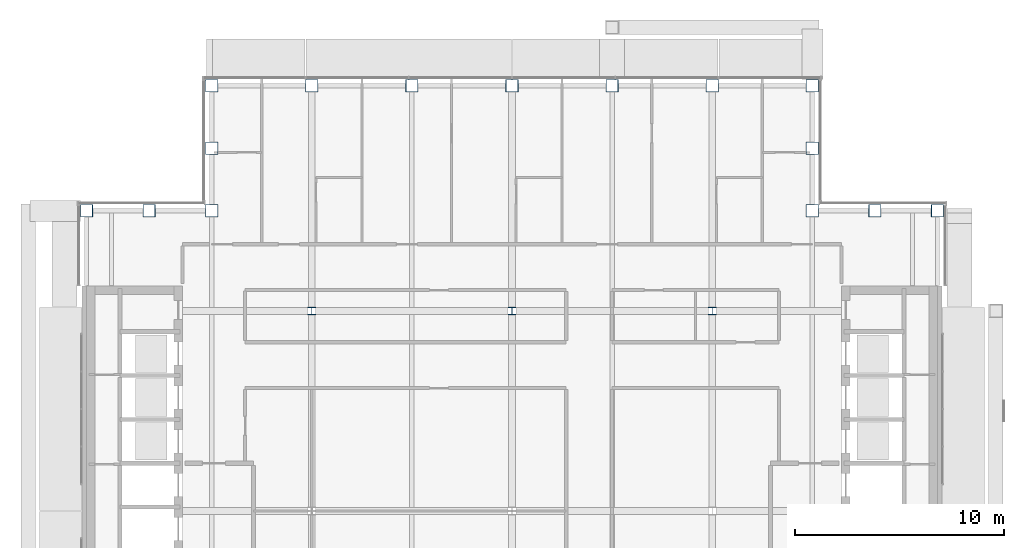
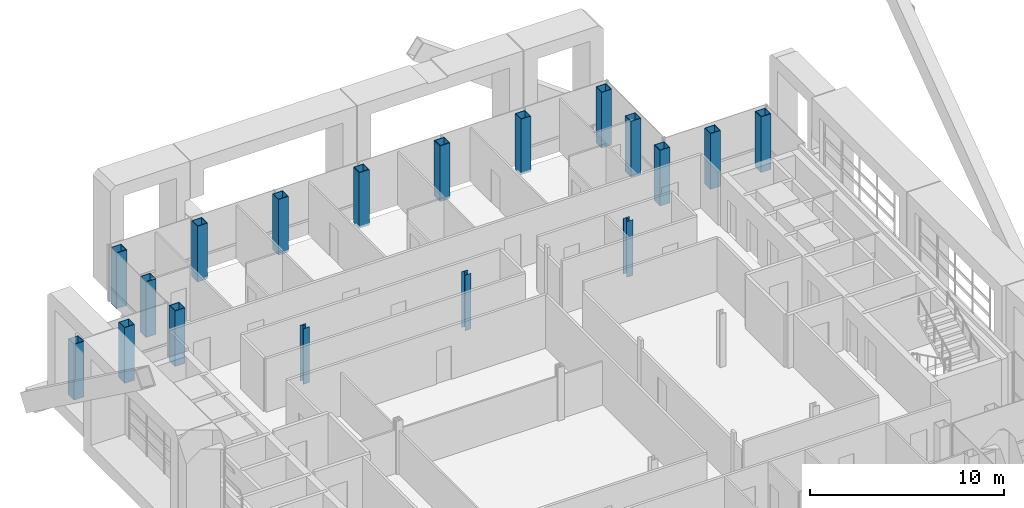
# One storey, part 3 of 23: 18 columns.
"""IFC4 building model written with IfcOpenShell, lengths in metres."""

from ifc_helpers import new_model, si_unit, direction, frame, origin, origin_2d, place, context, subcontext, project, spatial, hollow_rectangle, i_section, extrude, material, material_profile, profile_set, type_object, element, save


model = new_model("IFC4")

# Units and contexts
model_context = context("Model", 3, precision=1e-05, world=origin(), true_north=direction((0.0, 1.0)))
body_context = subcontext(model_context, "Body", "Model", "MODEL_VIEW")
ifc_project = project(units=[si_unit("LENGTHUNIT", "METRE"), si_unit("AREAUNIT", "SQUARE_METRE"), si_unit("VOLUMEUNIT", "CUBIC_METRE"), si_unit("PLANEANGLEUNIT", "RADIAN"), si_unit("MASSUNIT", "GRAM", prefix="KILO")], contexts=[model_context])

# Site, building, storey
site_placement = place(None, origin())
site = spatial("IfcSite", under=ifc_project, at=site_placement, CompositionType="ELEMENT")
building_placement = place(site_placement, origin())
building = spatial("IfcBuilding", under=site, at=building_placement, Name="Cobrizo Arcos Hotel Tower", CompositionType="ELEMENT")
storey_placement = place(building_placement, frame((0.0, 0.0, 255.0)))
storey = spatial("IfcBuildingStorey", under=building, at=storey_placement, Name="L67", CompositionType="ELEMENT", Elevation=255.0)

# Columns
ifc_material_1 = material(Name="Steel ASTM A572 Grade 50", Category="steel")
ifc_material_profile_1 = material_profile(ifc_material_1, hollow_rectangle(XDim=0.60009765625, YDim=0.60009765625, WallThickness=0.030029296875, at=origin_2d()), Name="BOX 600X600X30")
ifc_profile_set_1 = profile_set([ifc_material_profile_1], Name="Steel ASTM A572 Grade 50")
column_type_1 = type_object("IfcColumnType", Name="BOX 600X600X30 column", PredefinedType="COLUMN", material=ifc_profile_set_1)
for number, where, z_axis, x_axis, name in (
    (1, (-14.39990234375, 20.39990234375, -0.14990234375), (0.0, 0.0, 1.0), (1.0, 0.0, 0.0), "Perimeter column C12, L67, no. 00"),
    (2, (-9.60009765625, 20.39990234375, -0.14990234375), (0.0, 0.0, 1.0), (1.0, 0.0, 0.0), "Perimeter column C12, L67, no. 02"),
    (3, (-4.800048828125, 20.39990234375, -0.14990234375), (0.0, 0.0, 1.0), (1.0, 0.0, 0.0), "Perimeter column C12, L67, no. 04"),
    (4, (0.0, 20.39990234375, -0.14990234375), (0.0, 0.0, 1.0), (1.0, 0.0, 0.0), "Perimeter column C12, L67, no. 06"),
    (5, (4.800048828125, 20.39990234375, -0.14990234375), (0.0, 0.0, 1.0), (1.0, 0.0, 0.0), "Perimeter column C12, L67, no. 08"),
    (6, (9.60009765625, 20.39990234375, -0.14990234375), (0.0, 0.0, 1.0), (1.0, 0.0, 0.0), "Perimeter column C12, L67, no. 10"),
    (7, (14.39990234375, 20.39990234375, -0.14990234375), (0.0, 0.0, 1.0), (1.0, 0.0, 0.0), "Perimeter column C12, L67, no. 12"),
    (8, (20.39990234375, 14.39990234375, -0.14990234375), (0.0, 0.0, 1.0), (1.0, 0.0, 0.0), "Perimeter column C12, L67, no. 16"),
    (9, (-20.39990234375, 14.39990234375, -0.14990234375), (0.0, 0.0, 1.0), (1.0, 0.0, 0.0), "Perimeter column C12, L67, no. 17"),
    (10, (-14.39990234375, 14.39990234375, -0.14990234375), (0.0, 0.0, 1.0), (1.0, 0.0, 0.0), "Perimeter column C12, L67, no. 21"),
    (11, (-14.39990234375, 17.39990234375, -0.14990234375), (0.0, 0.0, 1.0), (1.0, 0.0, 0.0), "Perimeter column C12, L67, no. 22"),
    (12, (-17.39990234375, 14.39990234375, -0.14990234375), (0.0, 0.0, 1.0), (1.0, 0.0, 0.0), "Perimeter column C12, L67, no. 23"),
    (13, (14.39990234375, 14.39990234375, -0.14990234375), (0.0, 0.0, 1.0), (1.0, 0.0, 0.0), "Perimeter column C12, L67, no. 27"),
    (14, (14.39990234375, 17.39990234375, -0.14990234375), (0.0, 0.0, 1.0), (1.0, 0.0, 0.0), "Perimeter column C12, L67, no. 28"),
    (15, (17.39990234375, 14.39990234375, -0.14990234375), (0.0, 0.0, 1.0), (1.0, 0.0, 0.0), "Perimeter column C12, L67, no. 29"),
):
    element("IfcColumn", number, at=place(storey_placement, frame(where, z_axis=z_axis, x_axis=x_axis)), inside=storey, type_object=column_type_1, Name=name, PredefinedType="COLUMN", context=body_context, shape_type="SweptSolid", body=[
        extrude(hollow_rectangle(XDim=0.60009765625, YDim=0.60009765625, WallThickness=0.030029296875, at=origin_2d()), origin(), (0.0, 0.0, 1.0), 3.5),
    ])
ifc_material_2 = material(Name="Steel ASTM A992 Grade 50", Category="steel")
ifc_material_profile_2 = material_profile(ifc_material_2, i_section(OverallWidth=0.368408203125, OverallDepth=0.355712890625, WebThickness=0.01123046875, FlangeThickness=0.01806640625, at=origin_2d()), Name="W14X90")
ifc_profile_set_2 = profile_set([ifc_material_profile_2], Name="Steel ASTM A992 Grade 50")
column_type_2 = type_object("IfcColumnType", Name="W14X90 interior column", PredefinedType="COLUMN", material=ifc_profile_set_2)
for number, where, z_axis, x_axis, name in (
    (16, (-9.60009765625, 9.60009765625, -0.14990234375), (0.0, 0.0, 1.0), (1.0, 0.0, 0.0), "Interior column C13, L67, no. 02"),
    (17, (0.0, 9.60009765625, -0.14990234375), (0.0, 0.0, 1.0), (1.0, 0.0, 0.0), "Interior column C13, L67, no. 05"),
    (18, (9.60009765625, 9.60009765625, -0.14990234375), (0.0, 0.0, 1.0), (1.0, 0.0, 0.0), "Interior column C13, L67, no. 08"),
):
    element("IfcColumn", number, at=place(storey_placement, frame(where, z_axis=z_axis, x_axis=x_axis)), inside=storey, type_object=column_type_2, Name=name, PredefinedType="COLUMN", context=body_context, shape_type="SweptSolid", body=[
        extrude(i_section(OverallWidth=0.368408203125, OverallDepth=0.355712890625, WebThickness=0.01123046875, FlangeThickness=0.01806640625, at=origin_2d()), origin(), (0.0, 0.0, 1.0), 3.5),
    ])

save(model, "model.ifc")
